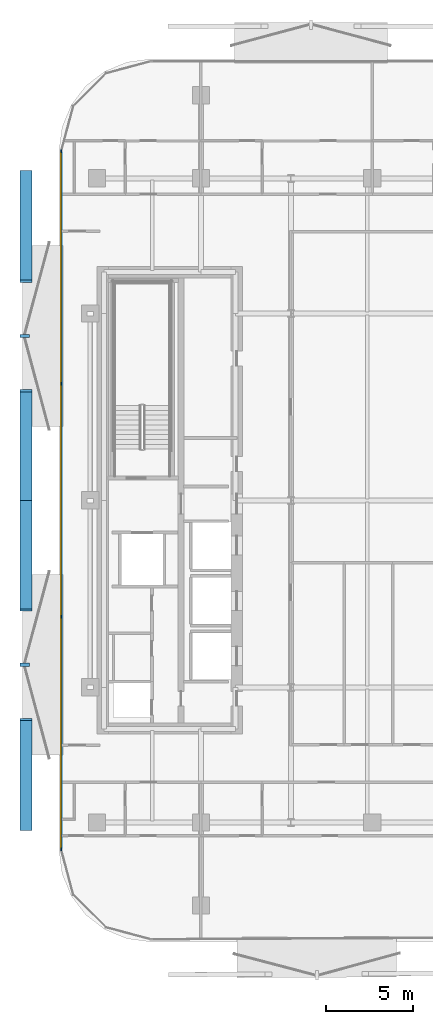
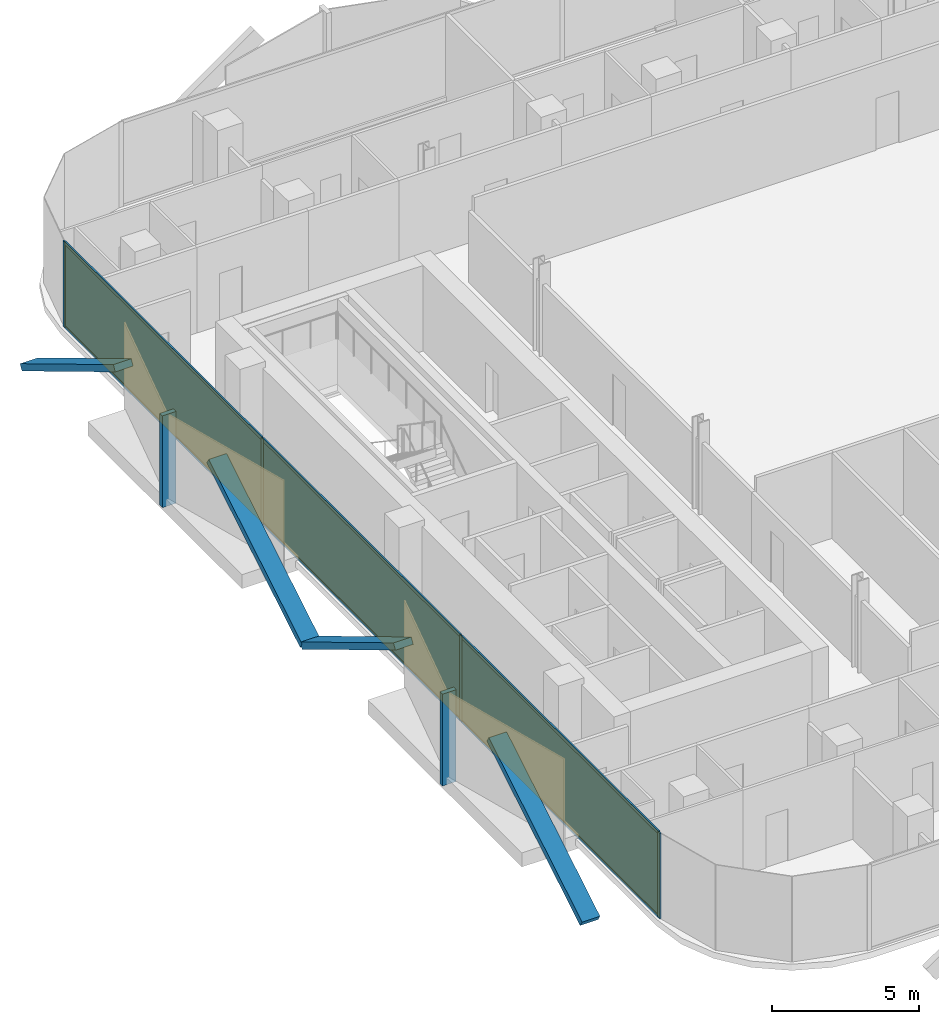
# One storey, part 10 of 17: 16 members, 3 plates, 1 curtain wall.
"""IFC4 building model written with IfcOpenShell, lengths in metres."""

from ifc_helpers import new_model, si_unit, direction, frame, frame_2d, origin, origin_2d, place, context, subcontext, project, spatial, rectangle, extrude, material, layer, layer_set, material_profile, profile_set, type_object, element, aggregate, save


model = new_model("IFC4")

# Units and contexts
model_context = context("Model", 3, precision=1e-05, world=origin(), true_north=direction((0.0, 1.0)))
body_context = subcontext(model_context, "Body", "Model", "MODEL_VIEW")
ifc_project = project(units=[si_unit("LENGTHUNIT", "METRE"), si_unit("AREAUNIT", "SQUARE_METRE"), si_unit("VOLUMEUNIT", "CUBIC_METRE"), si_unit("PLANEANGLEUNIT", "RADIAN"), si_unit("MASSUNIT", "GRAM", prefix="KILO")], contexts=[model_context])

# Member
ifc_material_1 = material(Name="Anodised Bronze Aluminium 6063-T6", Category="aluminium")
ifc_material_profile_1 = material_profile(ifc_material_1, rectangle(XDim=0.260009765625, YDim=0.699951171875, at=origin_2d()))
ifc_profile_set_1 = profile_set([ifc_material_profile_1], Name="Anodised Bronze Aluminium 6063-T6")
member_type_1 = type_object("IfcMemberType", Name="Bronze Diamond Solar-Screen Lattice Rib BDL-700", PredefinedType="MULLION", material=ifc_profile_set_1)
site_placement = place(None, origin())
building_placement = place(site_placement, origin())
storey_placement = place(building_placement, frame((0.0, 0.0, 172.60009765625)))
member_1_placement = place(storey_placement, frame((-24.5, -18.99072265625, -0.130126953125), z_axis=(0.0, 0.857382035675, 0.514680527027), x_axis=(0.0, -0.514680527027, 0.857382035675)))
member_1 = element("IfcMember", 1, at=member_1_placement, type_object=member_type_1, Name="L39 Bronze Diamond Solar Screen Lattice Rib 251A", PredefinedType="MULLION", context=body_context, shape_type="SweptSolid", body=[
    extrude(rectangle(XDim=0.260009765625, YDim=0.699951171875, at=origin_2d()), origin(), (0.0, 0.0, 1.0), 7.38330078125),
])

member_2_placement = place(storey_placement, frame((-24.5, 0.0, -0.130126953125), z_axis=(0.0, -0.857382035675, 0.514680527027), x_axis=(0.0, 0.514680527027, 0.857382035675)))
member_2 = element("IfcMember", 2, at=member_2_placement, type_object=member_type_1, Name="L39 Bronze Diamond Solar Screen Lattice Rib 251B", PredefinedType="MULLION", context=body_context, shape_type="SweptSolid", body=[
    extrude(rectangle(XDim=0.260009765625, YDim=0.699951171875, at=origin_2d()), origin(), (0.0, 0.0, 1.0), 7.38330078125),
])

member_3_placement = place(storey_placement, frame((-24.5, 0.0, -0.130126953125), z_axis=(0.0, 0.857382035675, 0.514680527027), x_axis=(0.0, -0.514680527027, 0.857382035675)))
member_3 = element("IfcMember", 3, at=member_3_placement, type_object=member_type_1, Name="L39 Bronze Diamond Solar Screen Lattice Rib 252A", PredefinedType="MULLION", context=body_context, shape_type="SweptSolid", body=[
    extrude(rectangle(XDim=0.260009765625, YDim=0.699951171875, at=origin_2d()), origin(), (0.0, 0.0, 1.0), 7.38330078125),
])

member_4_placement = place(storey_placement, frame((-24.5, 18.99072265625, -0.130126953125), z_axis=(0.0, -0.857382035675, 0.514680527027), x_axis=(0.0, 0.514680527027, 0.857382035675)))
member_4 = element("IfcMember", 4, at=member_4_placement, type_object=member_type_1, Name="L39 Bronze Diamond Solar Screen Lattice Rib 252B", PredefinedType="MULLION", context=body_context, shape_type="SweptSolid", body=[
    extrude(rectangle(XDim=0.260009765625, YDim=0.699951171875, at=origin_2d()), origin(), (0.0, 0.0, 1.0), 7.38330078125),
])

ifc_material_2 = material(Name="Anodised Bronze Aluminium 6063-T6", Category="aluminium")
ifc_material_profile_2 = material_profile(ifc_material_2, rectangle(XDim=0.179931640625, YDim=0.5400390625, at=origin_2d()))
ifc_profile_set_2 = profile_set([ifc_material_profile_2], Name="Anodised Bronze Aluminium 6063-T6")
member_type_2 = type_object("IfcMemberType", Name="Bronze Solar-Screen Vertical Fold Fin BSF-540", PredefinedType="MULLION", material=ifc_profile_set_2)
member_5_placement = place(storey_placement, frame((-24.580078125, -9.495361328125, -0.130126953125), z_axis=(0.0, 0.0, 1.0), x_axis=(0.0, 1.0, 0.0)))
member_5 = element("IfcMember", 5, at=member_5_placement, type_object=member_type_2, Name="L39 Bronze Solar Screen Vertical Fin 251", PredefinedType="MULLION", context=body_context, shape_type="SweptSolid", body=[
    extrude(rectangle(XDim=0.179931640625, YDim=0.5400390625, at=origin_2d()), origin(), (0.0, 0.0, 1.0), 3.800048828125),
])

member_6_placement = place(storey_placement, frame((-24.580078125, 9.495361328125, -0.130126953125), z_axis=(0.0, 0.0, 1.0), x_axis=(0.0, 1.0, 0.0)))
member_6 = element("IfcMember", 6, at=member_6_placement, type_object=member_type_2, Name="L39 Bronze Solar Screen Vertical Fin 252", PredefinedType="MULLION", context=body_context, shape_type="SweptSolid", body=[
    extrude(rectangle(XDim=0.179931640625, YDim=0.5400390625, at=origin_2d()), origin(), (0.0, 0.0, 1.0), 3.800048828125),
])

ifc_material_3 = material(Name="Anodised Bronze Aluminium 6063-T6", Category="aluminium")
ifc_material_profile_3 = material_profile(ifc_material_3, rectangle(XDim=0.06005859375, YDim=0.1650390625, at=origin_2d()))
ifc_profile_set_3 = profile_set([ifc_material_profile_3], Name="Anodised Bronze Aluminium 6063-T6")
member_type_3 = type_object("IfcMemberType", Name="CW-Z3 Mullion 60x165", PredefinedType="MULLION", material=ifc_profile_set_3)
member_7_placement = place(storey_placement, frame((-22.4599609375, -20.160888671875, 0.0), z_axis=(0.0, 0.0, 1.0), x_axis=(-1.0, 0.0, 0.0)))
member_7 = element("IfcMember", 7, at=member_7_placement, type_object=member_type_3, Name="CW-Z3 mullion 1", PredefinedType="MULLION", context=body_context, shape_type="SweptSolid", body=[
    extrude(rectangle(XDim=0.06005859375, YDim=0.1650390625, at=origin_2d()), origin(), (0.0, 0.0, 1.0), 3.539794921875),
])

member_8_placement = place(storey_placement, frame((-22.4599609375, -6.730224609375, 0.0), z_axis=(0.0, 0.0, 1.0), x_axis=(-1.0, 0.0, 0.0)))
member_8 = element("IfcMember", 8, at=member_8_placement, type_object=member_type_3, Name="CW-Z3 mullion 2", PredefinedType="MULLION", context=body_context, shape_type="SweptSolid", body=[
    extrude(rectangle(XDim=0.06005859375, YDim=0.1650390625, at=origin_2d()), origin(), (0.0, 0.0, 1.0), 3.539794921875),
])

member_9_placement = place(storey_placement, frame((-22.4599609375, 6.730224609375, 0.0), z_axis=(0.0, 0.0, 1.0), x_axis=(-1.0, 0.0, 0.0)))
member_9 = element("IfcMember", 9, at=member_9_placement, type_object=member_type_3, Name="CW-Z3 mullion 3", PredefinedType="MULLION", context=body_context, shape_type="SweptSolid", body=[
    extrude(rectangle(XDim=0.06005859375, YDim=0.1650390625, at=origin_2d()), origin(), (0.0, 0.0, 1.0), 3.539794921875),
])

member_10_placement = place(storey_placement, frame((-22.4599609375, 20.160888671875, 0.0), z_axis=(0.0, 0.0, 1.0), x_axis=(-1.0, 0.0, 0.0)))
member_10 = element("IfcMember", 10, at=member_10_placement, type_object=member_type_3, Name="CW-Z3 mullion 4", PredefinedType="MULLION", context=body_context, shape_type="SweptSolid", body=[
    extrude(rectangle(XDim=0.06005859375, YDim=0.1650390625, at=origin_2d()), origin(), (0.0, 0.0, 1.0), 3.539794921875),
])

ifc_material_4 = material(Name="Anodised Bronze Aluminium 6063-T6", Category="aluminium")
ifc_material_profile_4 = material_profile(ifc_material_4, rectangle(XDim=0.06005859375, YDim=0.1298828125, at=origin_2d()))
ifc_profile_set_4 = profile_set([ifc_material_profile_4], Name="Anodised Bronze Aluminium 6063-T6")
member_type_4 = type_object("IfcMemberType", Name="CW-Z3 Transom 60x130", PredefinedType="USERDEFINED", material=ifc_profile_set_4)
member_11_placement = place(storey_placement, frame((-22.4599609375, -20.130859375, 0.02978515625), z_axis=(0.0, 1.0, 0.0), x_axis=(-1.0, 0.0, 0.0)))
member_11 = element("IfcMember", 11, at=member_11_placement, type_object=member_type_4, Name="CW-Z3 transom 1.1", ObjectType="TRANSOM", PredefinedType="USERDEFINED", context=body_context, shape_type="SweptSolid", body=[
    extrude(rectangle(XDim=0.06005859375, YDim=0.1298828125, at=origin_2d()), origin(), (0.0, 0.0, 1.0), 13.37060546875),
])

member_12_placement = place(storey_placement, frame((-22.4599609375, -20.130859375, 3.510009765625), z_axis=(0.0, 1.0, 0.0), x_axis=(-1.0, 0.0, 0.0)))
member_12 = element("IfcMember", 12, at=member_12_placement, type_object=member_type_4, Name="CW-Z3 transom 1.2", ObjectType="TRANSOM", PredefinedType="USERDEFINED", context=body_context, shape_type="SweptSolid", body=[
    extrude(rectangle(XDim=0.06005859375, YDim=0.1298828125, at=origin_2d()), origin(), (0.0, 0.0, 1.0), 13.37060546875),
])

member_13_placement = place(storey_placement, frame((-22.4599609375, -6.7001953125, 0.02978515625), z_axis=(0.0, 1.0, 0.0), x_axis=(-1.0, 0.0, 0.0)))
member_13 = element("IfcMember", 13, at=member_13_placement, type_object=member_type_4, Name="CW-Z3 transom 2.1", ObjectType="TRANSOM", PredefinedType="USERDEFINED", context=body_context, shape_type="SweptSolid", body=[
    extrude(rectangle(XDim=0.06005859375, YDim=0.1298828125, at=origin_2d()), origin(), (0.0, 0.0, 1.0), 13.400390625),
])

member_14_placement = place(storey_placement, frame((-22.4599609375, -6.7001953125, 3.510009765625), z_axis=(0.0, 1.0, 0.0), x_axis=(-1.0, 0.0, 0.0)))
member_14 = element("IfcMember", 14, at=member_14_placement, type_object=member_type_4, Name="CW-Z3 transom 2.2", ObjectType="TRANSOM", PredefinedType="USERDEFINED", context=body_context, shape_type="SweptSolid", body=[
    extrude(rectangle(XDim=0.06005859375, YDim=0.1298828125, at=origin_2d()), origin(), (0.0, 0.0, 1.0), 13.400390625),
])

member_15_placement = place(storey_placement, frame((-22.4599609375, 6.76025390625, 0.02978515625), z_axis=(0.0, 1.0, 0.0), x_axis=(-1.0, 0.0, 0.0)))
member_15 = element("IfcMember", 15, at=member_15_placement, type_object=member_type_4, Name="CW-Z3 transom 3.1", ObjectType="TRANSOM", PredefinedType="USERDEFINED", context=body_context, shape_type="SweptSolid", body=[
    extrude(rectangle(XDim=0.06005859375, YDim=0.1298828125, at=origin_2d()), origin(), (0.0, 0.0, 1.0), 13.37060546875),
])

member_16_placement = place(storey_placement, frame((-22.4599609375, 6.76025390625, 3.510009765625), z_axis=(0.0, 1.0, 0.0), x_axis=(-1.0, 0.0, 0.0)))
member_16 = element("IfcMember", 16, at=member_16_placement, type_object=member_type_4, Name="CW-Z3 transom 3.2", ObjectType="TRANSOM", PredefinedType="USERDEFINED", context=body_context, shape_type="SweptSolid", body=[
    extrude(rectangle(XDim=0.06005859375, YDim=0.1298828125, at=origin_2d()), origin(), (0.0, 0.0, 1.0), 13.37060546875),
])

# Plate
ifc_material_5 = material(Name="Low-E Solar Control Laminated Glass", Category="glass")
ifc_layer_1 = layer(ifc_material_5, 0.030029296875, Name="Low-E Solar Control Laminated Glass")
ifc_layer_set_1 = layer_set([ifc_layer_1], Name="Low-E Solar Control Laminated Glass")
plate_type = type_object("IfcPlateType", Name="CW-Z3 Low-E Double Glazed Panel 30mm", PredefinedType="CURTAIN_PANEL", material=ifc_layer_set_1)
plate_1_placement = place(storey_placement, frame((-22.4599609375, -13.445556640625, 0.06005859375), z_axis=(0.0, 0.0, 1.0), x_axis=(0.0, 1.0, 0.0)))
plate_1 = element("IfcPlate", 17, at=plate_1_placement, type_object=plate_type, Name="CW-Z3 panel 1.1", PredefinedType="CURTAIN_PANEL", context=body_context, shape_type="SweptSolid", body=[
    extrude(rectangle(XDim=13.37060546875, YDim=0.030029296875, at=origin_2d()), origin(), (0.0, 0.0, 1.0), 3.419921875),
])

plate_2_placement = place(storey_placement, frame((-22.4599609375, 0.0, 0.06005859375), z_axis=(0.0, 0.0, 1.0), x_axis=(0.0, 1.0, 0.0)))
plate_2 = element("IfcPlate", 18, at=plate_2_placement, type_object=plate_type, Name="CW-Z3 panel 2.1", PredefinedType="CURTAIN_PANEL", context=body_context, shape_type="SweptSolid", body=[
    extrude(rectangle(XDim=13.400634765625, YDim=0.030029296875, at=origin_2d()), origin(), (0.0, 0.0, 1.0), 3.419921875),
])

plate_3_placement = place(storey_placement, frame((-22.4599609375, 13.445556640625, 0.06005859375), z_axis=(0.0, 0.0, 1.0), x_axis=(0.0, 1.0, 0.0)))
plate_3 = element("IfcPlate", 19, at=plate_3_placement, type_object=plate_type, Name="CW-Z3 panel 3.1", PredefinedType="CURTAIN_PANEL", context=body_context, shape_type="SweptSolid", body=[
    extrude(rectangle(XDim=13.37060546875, YDim=0.030029296875, at=origin_2d()), origin(), (0.0, 0.0, 1.0), 3.419921875),
])

# Site, building, storey
site = spatial("IfcSite", under=ifc_project, at=site_placement, CompositionType="ELEMENT")
building = spatial("IfcBuilding", under=site, at=building_placement, Name="Khairoan Windgate Tower", CompositionType="ELEMENT")
storey = spatial("IfcBuildingStorey", under=building, at=storey_placement, Name="L39", CompositionType="ELEMENT", Elevation=172.60009765625)

# Curtain wall
ifc_material_6 = material(Name="Anodised Bronze Aluminium 6063-T6", Category="aluminium")
ifc_layer_2 = layer(ifc_material_6, 0.1650390625, Name="Anodised Bronze Aluminium 6063-T6")
ifc_layer_set_2 = layer_set([ifc_layer_2], Name="Anodised Bronze Aluminium 6063-T6")
curtain_wall_type = type_object("IfcCurtainWallType", Name="Luxury Hotel Acoustic Curtain Wall CW-Z3", PredefinedType="NOTDEFINED", material=ifc_layer_set_2)
curtain_wall_placement = place(storey_placement, frame((-22.4599609375, -20.19091796875, 0.0), z_axis=(0.0, 0.0, 1.0), x_axis=(0.0, 1.0, 0.0)))
curtain_wall = element("IfcCurtainWall", 20, at=curtain_wall_placement, inside=storey, type_object=curtain_wall_type, Name="L39 Unitised Curtain Wall 5", PredefinedType="NOTDEFINED", context=body_context, shape_type="SweptSolid", body=[
    extrude(rectangle(XDim=40.3818359375, YDim=0.010009765625, at=frame_2d((20.19091796875, 0.0))), origin(), (0.0, 0.0, 1.0), 3.539794921875),
])

aggregate(curtain_wall, [member_7, member_8, member_9, member_10, member_11, member_12, plate_1, member_13, member_14, plate_2, member_15, member_16, plate_3, member_1, member_2, member_5, member_3, member_4, member_6])

save(model, "model.ifc")
